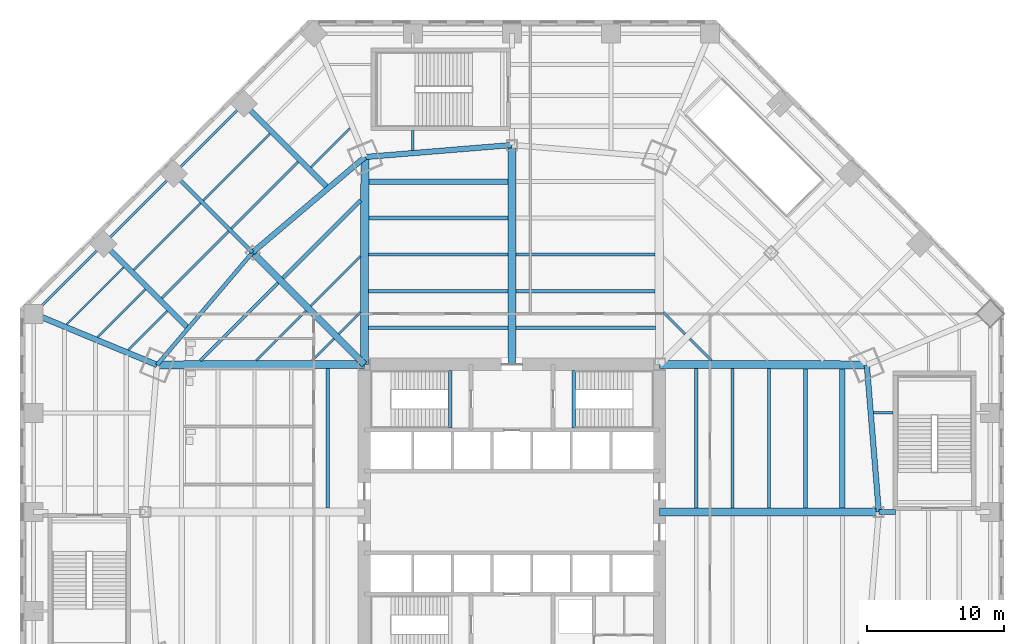
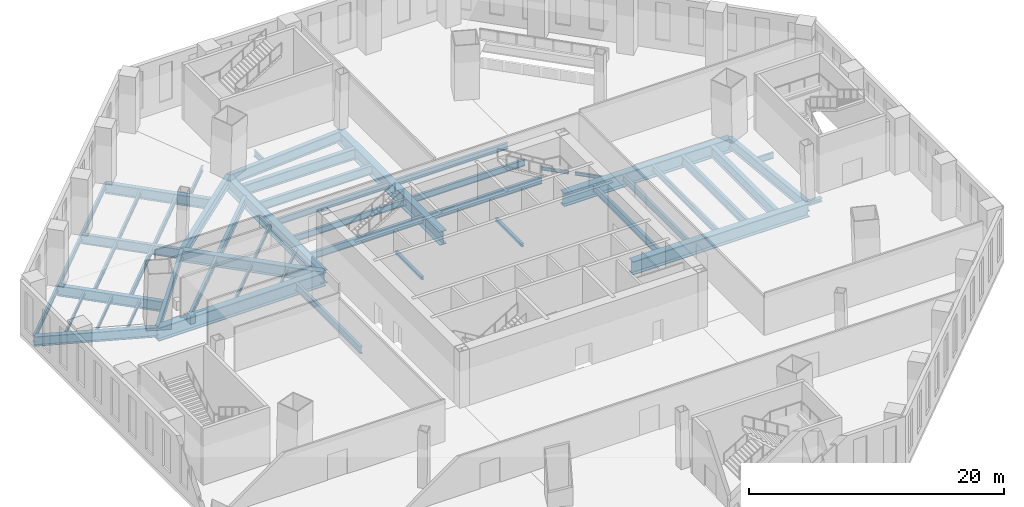
# One storey, part 4 of 18: 51 beams, 1 member.
"""IFC4 building model written with IfcOpenShell, lengths in metres."""

import ifcopenshell
import ifcopenshell.guid

model = None  # the IFC model being written
_history = None  # IfcOwnerHistory: only IFC2X3 demands one
_inside = {}  # id of a spatial element -> (the spatial element, [elements in it])
_under = {}  # id of a project, library or spatial element -> (it, [spatial elements below it])
_declared = {}  # id of a project -> (the project, [libraries it declares])
_typed = {}  # id of a type object -> (the type object, [elements of that type])
_made_of = {}  # id of a material, layer set ... -> (it, [elements and type objects made of it])


def new_model(schema):
    """Start an empty IFC model of exactly this schema.

    Asked for "IFC4X3", IfcOpenShell would pick the latest addendum, in which some entities
    have other attributes; the version numbers below select the first issue.
    IFC2X3 requires an IfcOwnerHistory on every rooted entity: one is made here for all.
    """
    global model, _history
    if schema == "IFC4X3":
        model = ifcopenshell.file(schema_version=(4, 3, 0, 0))
    else:
        model = ifcopenshell.file(schema=schema)
    _inside.clear()
    _under.clear()
    _declared.clear()
    _typed.clear()
    _made_of.clear()
    _history = None
    if model.schema == "IFC2X3":
        org = make("IfcOrganization", Name="unknown")
        user = make(
            "IfcPersonAndOrganization",
            ThePerson=make("IfcPerson", FamilyName="unknown"),
            TheOrganization=org,
        )
        app = make(
            "IfcApplication",
            ApplicationDeveloper=org,
            Version="unknown",
            ApplicationFullName="unknown",
            ApplicationIdentifier="unknown",
        )
        _history = make(
            "IfcOwnerHistory",
            OwningUser=user,
            OwningApplication=app,
            ChangeAction="ADDED",
            CreationDate=0,
        )
    return model


def make(cls, **values):
    """One entity of the class cls with the attributes given. An attribute that is None is left unset."""
    return model.create_entity(
        cls, **{name: value for name, value in values.items() if value is not None}
    )


def rooted(cls, **values):
    """An entity with a GlobalId (a new one), such as an element, a storey or a relation."""
    return make(cls, GlobalId=ifcopenshell.guid.new(), OwnerHistory=_history, **values)


def si_unit(unit_type, name, prefix=None):
    """IfcSIUnit, for example si_unit("LENGTHUNIT", "METRE", prefix="MILLI")."""
    return make("IfcSIUnit", UnitType=unit_type, Prefix=prefix, Name=name)


def assignment(units):
    """IfcUnitAssignment: the units of a project."""
    return None if units is None else make("IfcUnitAssignment", Units=units)


def point(xyz):
    """IfcCartesianPoint."""
    return None if xyz is None else make("IfcCartesianPoint", Coordinates=xyz)


def direction(xyz):
    """IfcDirection."""
    return None if xyz is None else make("IfcDirection", DirectionRatios=xyz)


def frame(location, z_axis=None, x_axis=None):
    """IfcAxis2Placement3D, a coordinate frame: its origin and axes. An axis left out is left unset."""
    return make(
        "IfcAxis2Placement3D",
        Location=point(location),
        Axis=direction(z_axis),
        RefDirection=direction(x_axis),
    )


def frame_2d(location, x_axis=None):
    """IfcAxis2Placement2D, a coordinate frame in the plane: its origin and x axis."""
    return make(
        "IfcAxis2Placement2D", Location=point(location), RefDirection=direction(x_axis)
    )


def origin():
    """The frame at (0, 0, 0) with its axes left unset."""
    return frame((0.0, 0.0, 0.0))


def origin_2d():
    """The frame at (0, 0) in the plane with its x axis left unset."""
    return frame_2d((0.0, 0.0))


def place(relative_to, where):
    """IfcLocalPlacement: puts the frame where relative to a parent placement (None: the world)."""
    return make(
        "IfcLocalPlacement", PlacementRelTo=relative_to, RelativePlacement=where
    )


def context(
    kind, dimensions, precision=None, world=None, true_north=None, identifier=None
):
    """IfcGeometricRepresentationContext, for example the 3D "Model" context."""
    return make(
        "IfcGeometricRepresentationContext",
        ContextIdentifier=identifier,
        ContextType=kind,
        CoordinateSpaceDimension=dimensions,
        Precision=precision,
        WorldCoordinateSystem=world,
        TrueNorth=true_north,
    )


def subcontext(parent, identifier, kind, view, scale=None):
    """IfcGeometricRepresentationSubContext, for example "Body" below "Model"."""
    return make(
        "IfcGeometricRepresentationSubContext",
        ContextIdentifier=identifier,
        ContextType=kind,
        ParentContext=parent,
        TargetScale=scale,
        TargetView=view,
    )


def project(units=None, contexts=None):
    """IfcProject with its units and contexts."""
    return rooted(
        "IfcProject",
        Name="project",
        RepresentationContexts=contexts,
        UnitsInContext=assignment(units),
    )


def spatial(cls, under=None, at=None, **own):
    """A site, building, storey or space (cls), placed at a placement, below another one or the project."""
    s = rooted(cls, ObjectPlacement=at, **own)
    if under is not None:
        _under.setdefault(under.id(), (under, []))[1].append(s)
    return s


def profile(cls, at=None, kind="AREA", **sizes):
    """A parametric profile (cls). Its sizes go by their IFC names, for example OverallWidth=200.0."""
    return make(cls, ProfileType=kind, Position=at, **sizes)


def i_section(**sizes):
    """IfcIShapeProfileDef."""
    return profile("IfcIShapeProfileDef", **sizes)


def extrude(swept, where, along, depth):
    """IfcExtrudedAreaSolid: the profile swept, set in the frame where, extruded along a direction by depth."""
    return make(
        "IfcExtrudedAreaSolid",
        SweptArea=swept,
        Position=where,
        ExtrudedDirection=direction(along),
        Depth=depth,
    )


def shape(context_of_items, identifier, shape_type, items):
    """IfcShapeRepresentation: the items that make up one representation, for example the "Body"."""
    return make(
        "IfcShapeRepresentation",
        ContextOfItems=context_of_items,
        RepresentationIdentifier=identifier,
        RepresentationType=shape_type,
        Items=items,
    )


def source(mapping_origin, context_of_items, identifier, shape_type, items):
    """IfcRepresentationMap: a shape defined once, which mapped items show again and again."""
    return make(
        "IfcRepresentationMap",
        MappingOrigin=mapping_origin,
        MappedRepresentation=shape(context_of_items, identifier, shape_type, items),
    )


def transform(
    local_origin,
    x_axis=None,
    y_axis=None,
    z_axis=None,
    scale=None,
    scale2=None,
    scale3=None,
    uniform=True,
):
    """IfcCartesianTransformationOperator3D, or its non-uniform kind. x_axis, y_axis, z_axis: its Axis1, 2, 3."""
    if uniform:
        return make(
            "IfcCartesianTransformationOperator3D",
            Axis1=direction(x_axis),
            Axis2=direction(y_axis),
            LocalOrigin=point(local_origin),
            Scale=scale,
            Axis3=direction(z_axis),
        )
    return make(
        "IfcCartesianTransformationOperator3DnonUniform",
        Axis1=direction(x_axis),
        Axis2=direction(y_axis),
        LocalOrigin=point(local_origin),
        Scale=scale,
        Axis3=direction(z_axis),
        Scale2=scale2,
        Scale3=scale3,
    )


def mapped(mapping_source, mapping_target):
    """IfcMappedItem: shows the shape of a source again, moved by a transform."""
    return make(
        "IfcMappedItem", MappingSource=mapping_source, MappingTarget=mapping_target
    )


def material(Name=None, Category=None):
    """IfcMaterial."""
    return make("IfcMaterial", Name=Name, Category=Category)


def material_profile(
    of_material, cross_section, Name=None, Category=None, Priority=None
):
    """IfcMaterialProfile: a cross section and its material."""
    return make(
        "IfcMaterialProfile",
        Name=Name,
        Material=of_material,
        Profile=cross_section,
        Priority=Priority,
        Category=Category,
    )


def profile_set(profiles, Name=None, composite=None):
    """IfcMaterialProfileSet."""
    return make(
        "IfcMaterialProfileSet",
        Name=Name,
        MaterialProfiles=profiles,
        CompositeProfile=composite,
    )


def made_of(thing, what):
    """Note that an element or type object is made of a material, layer set ...; save() writes the relation."""
    if what is not None:
        _made_of.setdefault(what.id(), (what, []))[1].append(thing)
    return thing


def type_object(cls, material=None, **own):
    """A type object (cls), such as IfcWallType, which elements share."""
    return made_of(rooted(cls, **own), material)


def type_shapes(of_type, sources):
    """Give a type object the sources (RepresentationMaps) that its elements show as mapped items."""
    of_type.RepresentationMaps = sources


def element(
    cls,
    number,
    at=None,
    inside=None,
    cuts=None,
    type_object=None,
    material=None,
    context=None,
    identifier="Body",
    shape_type=None,
    held_by="IfcProductDefinitionShape",
    body=None,
    shapes=None,
    **own,
):
    """One element of the class cls, such as IfcWall. Its Tag is "e" and its number.

    at: its placement. inside: the storey or other place that contains it. cuts: it is an
    opening in that element (IfcRelVoidsElement). A single representation is given by context,
    identifier, shape_type and body (its items); several are given by shapes. held_by: the class
    of the entity that holds the representations. save() writes the other relations.
    """
    e = rooted(cls, Tag="e%d" % number, ObjectPlacement=at, **own)
    if body is not None:
        shapes = [shape(context, identifier, shape_type, body)]
    if shapes is not None:
        e.Representation = make(held_by, Representations=shapes)
    if inside is not None:
        _inside.setdefault(inside.id(), (inside, []))[1].append(e)
    if cuts is not None:
        rooted(
            "IfcRelVoidsElement", RelatingBuildingElement=cuts, RelatedOpeningElement=e
        )
    if type_object is not None:
        _typed.setdefault(type_object.id(), (type_object, []))[1].append(e)
    return made_of(e, material)


def aggregate(whole, parts):
    """IfcRelAggregates: a whole, such as a stair, and the parts it consists of."""
    return rooted("IfcRelAggregates", RelatingObject=whole, RelatedObjects=parts)


def save(model, path):
    """Write the relations noted so far, then the file.

    IfcRelAggregates (storeys below a building ...), IfcRelContainedInSpatialStructure (elements
    in a storey), IfcRelDefinesByType, IfcRelAssociatesMaterial and IfcRelDeclares: one each for
    every whole, place, type object, material and project.
    """
    for whole, parts in _under.values():
        aggregate(whole, parts)
    for where, things in _inside.values():
        rooted(
            "IfcRelContainedInSpatialStructure",
            RelatedElements=things,
            RelatingStructure=where,
        )
    for kind, things in _typed.values():
        rooted("IfcRelDefinesByType", RelatedObjects=things, RelatingType=kind)
    for what, things in _made_of.values():
        rooted("IfcRelAssociatesMaterial", RelatedObjects=things, RelatingMaterial=what)
    for by, libraries in _declared.values():
        rooted("IfcRelDeclares", RelatingContext=by, RelatedDefinitions=libraries)
    model.write(path)


model = new_model("IFC4")

# Units and contexts
model_context = context("Model", 3, precision=1e-05, world=origin(), true_north=direction((0.0, 1.0)))
body_context = subcontext(model_context, "Body", "Model", "MODEL_VIEW")
ifc_project = project(units=[si_unit("LENGTHUNIT", "METRE"), si_unit("AREAUNIT", "SQUARE_METRE"), si_unit("VOLUMEUNIT", "CUBIC_METRE"), si_unit("PLANEANGLEUNIT", "RADIAN"), si_unit("MASSUNIT", "GRAM", prefix="KILO")], contexts=[model_context])

# Site, building, storey
site_placement = place(None, origin())
site = spatial("IfcSite", under=ifc_project, at=site_placement, CompositionType="ELEMENT")
building_placement = place(site_placement, origin())
building = spatial("IfcBuilding", under=site, at=building_placement, Name="Mashrafa Tower", CompositionType="ELEMENT")
storey_placement = place(building_placement, frame((0.0, 0.0, 13.199951171875)))
storey = spatial("IfcBuildingStorey", under=building, at=storey_placement, Name="L02", CompositionType="ELEMENT", Elevation=13.199951171875)

# Beams
ifc_material_1 = material(Name="Steel ASTM A572 Gr 50", Category="steel")
ifc_material_profile_1 = material_profile(ifc_material_1, i_section(OverallWidth=0.5, OverallDepth=1.10009765625, WebThickness=0.02490234375, FlangeThickness=0.050048828125, at=origin_2d()), Name="H1100X500X25X50")
ifc_profile_set_1 = profile_set([ifc_material_profile_1], Name="Steel ASTM A572 Gr 50")
beam_type_1 = type_object("IfcBeamType", Name="Beam H1100X500X25X50", PredefinedType="BEAM", material=ifc_profile_set_1)
beam_1_placement = place(storey_placement, frame((-10.800048828125, 10.800048828125, -0.849853515625), z_axis=(-0.707106781187, 0.707106781187, 0.0), x_axis=(-0.707106781187, -0.707106781187, 0.0)))
element("IfcBeam", 1, at=beam_1_placement, inside=storey, type_object=beam_type_1, Name="Radial girder L02 218", PredefinedType="BEAM", context=body_context, shape_type="SweptSolid", body=[
    extrude(i_section(OverallWidth=0.5, OverallDepth=1.10009765625, WebThickness=0.02490234375, FlangeThickness=0.050048828125, at=origin_2d()), origin(), (0.0, 0.0, 1.0), 11.576171875),
])
ifc_material_2 = material(Name="Steel ASTM A572 Gr 50", Category="steel")
ifc_material_profile_2 = material_profile(ifc_material_2, i_section(OverallWidth=0.60009765625, OverallDepth=1.300048828125, WebThickness=0.028076171875, FlangeThickness=0.06494140625, at=origin_2d()), Name="H1300X600X28X65")
ifc_profile_set_2 = profile_set([ifc_material_profile_2], Name="Steel ASTM A572 Gr 50")
beam_type_2 = type_object("IfcBeamType", Name="Beam H1300X600X28X65", PredefinedType="BEAM", material=ifc_profile_set_2)
for number, where, z_axis, x_axis, name in (
    (2, (-10.800048828125, 10.800048828125, -0.949951171875), (-0.999996124968, -0.002783890858, 0.0), (0.002783890858, -0.999996124968, 0.0), "Radial girder L02 217"),
    (3, (-10.800048828125, 10.800048828125, -0.949951171875), (0.002783890858, 0.999996124968, 0.0), (-0.999996124968, 0.002783890858, 0.0), "Radial girder L02 219"),
):
    element("IfcBeam", number, at=place(storey_placement, frame(where, z_axis=z_axis, x_axis=x_axis)), inside=storey, type_object=beam_type_2, Name=name, PredefinedType="BEAM", context=body_context, shape_type="SweptSolid", body=[
        extrude(i_section(OverallWidth=0.60009765625, OverallDepth=1.300048828125, WebThickness=0.028076171875, FlangeThickness=0.06494140625, at=origin_2d()), origin(), (0.0, 0.0, 1.0), 15.171630859375),
    ])
for number, where, z_axis, x_axis, name in (
    (4, (0.0, 10.800048828125, -0.949951171875), (0.0, 1.0, 0.0), (-1.0, 0.0, 0.0), "Radial girder L02 221"),
    (5, (10.800048828125, 0.0, -0.949951171875), (1.0, 0.0, 0.0), (0.0, 1.0, 0.0), "Radial girder L02 225"),
):
    element("IfcBeam", number, at=place(storey_placement, frame(where, z_axis=z_axis, x_axis=x_axis)), inside=storey, type_object=beam_type_2, Name=name, PredefinedType="BEAM", context=body_context, shape_type="SweptSolid", body=[
        extrude(i_section(OverallWidth=0.60009765625, OverallDepth=1.300048828125, WebThickness=0.028076171875, FlangeThickness=0.06494140625, at=origin_2d()), origin(), (0.0, 0.0, 1.0), 16.0498046875),
    ])
beam_2_placement = place(storey_placement, frame((10.800048828125, 10.800048828125, -0.949951171875), z_axis=(0.999996124968, -0.002783890858, 0.0), x_axis=(0.002783890858, 0.999996124968, 0.0)))
element("IfcBeam", 6, at=beam_2_placement, inside=storey, type_object=beam_type_2, Name="Radial girder L02 228", PredefinedType="BEAM", context=body_context, shape_type="SweptSolid", body=[
    extrude(i_section(OverallWidth=0.60009765625, OverallDepth=1.300048828125, WebThickness=0.028076171875, FlangeThickness=0.06494140625, at=origin_2d()), origin(), (0.0, 0.0, 1.0), 15.171630859375),
])
ifc_material_3 = material(Name="Steel ASTM A992", Category="steel")
ifc_material_profile_3 = material_profile(ifc_material_3, i_section(OverallWidth=0.164794921875, OverallDepth=0.309814453125, WebThickness=0.005859375, FlangeThickness=0.009765625, FilletRadius=0.007568359375, at=origin_2d()), Name="W12X26")
ifc_profile_set_3 = profile_set([ifc_material_profile_3], Name="Steel ASTM A992")
beam_type_3 = type_object("IfcBeamType", Name="Beam W12X26", PredefinedType="BEAM", material=ifc_profile_set_3)
for number, where, z_axis, x_axis, name in (
    (7, (-14.603515625, 11.08935546875, -0.454833984375), (0.707106781187, 0.707106781187, 0.0), (-0.707106781187, 0.707106781187, 0.0), "Floor beam L02 034"),
    (8, (-12.669677734375, 13.023193359375, -0.454833984375), (0.707106781187, 0.707106781187, 0.0), (-0.707106781187, 0.707106781187, 0.0), "Floor beam L02 043"),
    (9, (11.08935546875, 14.603515625, -0.454833984375), (0.707106781187, -0.707106781187, 0.0), (0.707106781187, 0.707106781187, 0.0), "Floor beam L02 077"),
    (10, (13.023193359375, 12.669677734375, -0.454833984375), (0.707106781187, -0.707106781187, 0.0), (0.707106781187, 0.707106781187, 0.0), "Floor beam L02 082"),
):
    element("IfcBeam", number, at=place(storey_placement, frame(where, z_axis=z_axis, x_axis=x_axis)), inside=storey, type_object=beam_type_3, Name=name, PredefinedType="BEAM", context=body_context, shape_type="SweptSolid", body=[
        extrude(i_section(OverallWidth=0.164794921875, OverallDepth=0.309814453125, WebThickness=0.005859375, FlangeThickness=0.009765625, FilletRadius=0.007568359375, at=origin_2d()), origin(), (0.0, 0.0, 1.0), 2.23486328125),
    ])
ifc_material_4 = material(Name="Steel ASTM A992", Category="steel")
ifc_material_profile_4 = material_profile(ifc_material_4, i_section(OverallWidth=0.140380859375, OverallDepth=0.40380859375, WebThickness=0.007080078125, FlangeThickness=0.01123046875, FilletRadius=0.01025390625, at=origin_2d()), Name="W16X31")
ifc_profile_set_4 = profile_set([ifc_material_profile_4], Name="Steel ASTM A992")
beam_type_4 = type_object("IfcBeamType", Name="Beam W16X31", PredefinedType="BEAM", material=ifc_profile_set_4)
beam_3_placement = place(storey_placement, frame((-32.58251953125, 13.722900390625, -0.501953125), z_axis=(0.707086042789, 0.707127518976, 0.0), x_axis=(-0.707127518976, 0.707086042789, 0.0)))
element("IfcBeam", 11, at=beam_3_placement, inside=storey, type_object=beam_type_4, Name="Floor beam L02 003", PredefinedType="BEAM", context=body_context, shape_type="SweptSolid", body=[
    extrude(i_section(OverallWidth=0.140380859375, OverallDepth=0.40380859375, WebThickness=0.007080078125, FlangeThickness=0.01123046875, FilletRadius=0.01025390625, at=origin_2d()), origin(), (0.0, 0.0, 1.0), 5.88623046875),
])
beam_4_placement = place(storey_placement, frame((-30.325439453125, 12.7880859375, -0.501953125), z_axis=(0.707106781187, 0.707106781187, 0.0), x_axis=(-0.707106781187, 0.707106781187, 0.0)))
element("IfcBeam", 12, at=beam_4_placement, inside=storey, type_object=beam_type_4, Name="Floor beam L02 006", PredefinedType="BEAM", context=body_context, shape_type="SweptSolid", body=[
    extrude(i_section(OverallWidth=0.140380859375, OverallDepth=0.40380859375, WebThickness=0.007080078125, FlangeThickness=0.01123046875, FilletRadius=0.01025390625, at=origin_2d()), origin(), (0.0, 0.0, 1.0), 4.951416015625),
])
beam_5_placement = place(storey_placement, frame((-28.068359375, 11.85302734375, -0.501953125), z_axis=(0.707106781187, 0.707106781187, 0.0), x_axis=(-0.707106781187, 0.707106781187, 0.0)))
element("IfcBeam", 13, at=beam_5_placement, inside=storey, type_object=beam_type_4, Name="Floor beam L02 009", PredefinedType="BEAM", context=body_context, shape_type="SweptSolid", body=[
    extrude(i_section(OverallWidth=0.140380859375, OverallDepth=0.40380859375, WebThickness=0.007080078125, FlangeThickness=0.01123046875, FilletRadius=0.01025390625, at=origin_2d()), origin(), (0.0, 0.0, 1.0), 4.0166015625),
])
ifc_material_5 = material(Name="Steel ASTM A992", Category="steel")
ifc_material_profile_5 = material_profile(ifc_material_5, i_section(OverallWidth=0.15234375, OverallDepth=0.449462890625, WebThickness=0.007568359375, FlangeThickness=0.0107421875, FilletRadius=0.01025390625, at=origin_2d()), Name="W18X35")
ifc_profile_set_5 = profile_set([ifc_material_profile_5], Name="Steel ASTM A992")
beam_type_5 = type_object("IfcBeamType", Name="Beam W18X35", PredefinedType="BEAM", material=ifc_profile_set_5)
for number, where, z_axis, x_axis, name in (
    (14, (-18.707763671875, 11.077880859375, -0.524658203125), (0.707106781187, 0.707106781187, 0.0), (-0.707106781187, 0.707106781187, 0.0), "Floor beam L02 023"),
    (15, (-14.716064453125, 15.069580078125, -0.524658203125), (0.707106781187, 0.707106781187, 0.0), (-0.707106781187, 0.707106781187, 0.0), "Floor beam L02 036"),
):
    element("IfcBeam", number, at=place(storey_placement, frame(where, z_axis=z_axis, x_axis=x_axis)), inside=storey, type_object=beam_type_5, Name=name, PredefinedType="BEAM", context=body_context, shape_type="SweptSolid", body=[
        extrude(i_section(OverallWidth=0.15234375, OverallDepth=0.449462890625, WebThickness=0.007568359375, FlangeThickness=0.0107421875, FilletRadius=0.01025390625, at=origin_2d()), origin(), (0.0, 0.0, 1.0), 5.145263671875),
    ])
ifc_material_6 = material(Name="Steel ASTM A992", Category="steel")
ifc_material_profile_6 = material_profile(ifc_material_6, i_section(OverallWidth=0.1650390625, OverallDepth=0.52587890625, WebThickness=0.0087890625, FlangeThickness=0.011474609375, FilletRadius=0.0126953125, at=origin_2d()), Name="W21X44")
ifc_profile_set_6 = profile_set([ifc_material_profile_6], Name="Steel ASTM A992")
beam_type_6 = type_object("IfcBeamType", Name="Beam W21X44", PredefinedType="BEAM", material=ifc_profile_set_6)
for number, where, z_axis, x_axis, name in (
    (16, (-27.672119140625, 17.70458984375, -0.562744140625), (0.707124486521, 0.707089075409, 0.0), (-0.707089075409, 0.707124486521, 0.0), "Floor beam L02 010"),
    (17, (-22.57958984375, 22.796875, -0.562744140625), (0.707089075409, 0.707124486521, 0.0), (-0.707124486521, 0.707089075409, 0.0), "Floor beam L02 018"),
):
    element("IfcBeam", number, at=place(storey_placement, frame(where, z_axis=z_axis, x_axis=x_axis)), inside=storey, type_object=beam_type_6, Name=name, PredefinedType="BEAM", context=body_context, shape_type="SweptSolid", body=[
        extrude(i_section(OverallWidth=0.1650390625, OverallDepth=0.52587890625, WebThickness=0.0087890625, FlangeThickness=0.011474609375, FilletRadius=0.0126953125, at=origin_2d()), origin(), (0.0, 0.0, 1.0), 6.89453125),
    ])
ifc_material_7 = material(Name="Steel ASTM A992", Category="steel")
ifc_material_profile_7 = material_profile(ifc_material_7, i_section(OverallWidth=0.165771484375, OverallDepth=0.5283203125, WebThickness=0.009765625, FlangeThickness=0.013671875, FilletRadius=0.012939453125, at=origin_2d()), Name="W21X50")
ifc_profile_set_7 = profile_set([ifc_material_profile_7], Name="Steel ASTM A992")
beam_type_7 = type_object("IfcBeamType", Name="Beam W21X50", PredefinedType="BEAM", material=ifc_profile_set_7)
beam_6_placement = place(storey_placement, frame((-14.693115234375, 25.228271484375, -0.564208984375), z_axis=(0.707106781187, 0.707106781187, 0.0), x_axis=(-0.707106781187, 0.707106781187, 0.0)))
element("IfcBeam", 18, at=beam_6_placement, inside=storey, type_object=beam_type_7, Name="Floor beam L02 037", PredefinedType="BEAM", context=body_context, shape_type="SweptSolid", body=[
    extrude(i_section(OverallWidth=0.165771484375, OverallDepth=0.5283203125, WebThickness=0.009765625, FlangeThickness=0.013671875, FilletRadius=0.012939453125, at=origin_2d()), origin(), (0.0, 0.0, 1.0), 4.026123046875),
])
ifc_material_8 = material(Name="Steel ASTM A992", Category="steel")
ifc_material_profile_8 = material_profile(ifc_material_8, i_section(OverallWidth=0.177978515625, OverallDepth=0.599365234375, WebThickness=0.010009765625, FlangeThickness=0.012939453125, FilletRadius=0.012939453125, at=origin_2d()), Name="W24X55")
ifc_profile_set_8 = profile_set([ifc_material_profile_8], Name="Steel ASTM A992")
beam_type_8 = type_object("IfcBeamType", Name="Beam W24X55", PredefinedType="BEAM", material=ifc_profile_set_8)
for number, where, z_axis, x_axis, name in (
    (19, (-25.611572265625, 15.64404296875, -0.599609375), (0.707106781187, 0.707106781187, 0.0), (-0.707106781187, 0.707106781187, 0.0), "Floor beam L02 012"),
    (20, (-20.51904296875, 20.736572265625, -0.599609375), (0.707106781187, 0.707106781187, 0.0), (-0.707106781187, 0.707106781187, 0.0), "Floor beam L02 022"),
):
    element("IfcBeam", number, at=place(storey_placement, frame(where, z_axis=z_axis, x_axis=x_axis)), inside=storey, type_object=beam_type_8, Name=name, PredefinedType="BEAM", context=body_context, shape_type="SweptSolid", body=[
        extrude(i_section(OverallWidth=0.177978515625, OverallDepth=0.599365234375, WebThickness=0.010009765625, FlangeThickness=0.012939453125, FilletRadius=0.012939453125, at=origin_2d()), origin(), (0.0, 0.0, 1.0), 6.894287109375),
    ])
beam_7_placement = place(storey_placement, frame((-29.87451171875, 19.623046875, -0.599609375), z_axis=(-0.707106781187, -0.707106781187, 0.0), x_axis=(0.707106781187, -0.707106781187, 0.0)))
element("IfcBeam", 21, at=beam_7_placement, inside=storey, type_object=beam_type_8, Name="Podium edge beam L02 130", PredefinedType="BEAM", context=body_context, shape_type="SweptSolid", body=[
    extrude(i_section(OverallWidth=0.177978515625, OverallDepth=0.599365234375, WebThickness=0.010009765625, FlangeThickness=0.012939453125, FilletRadius=0.012939453125, at=origin_2d()), origin(), (0.0, 0.0, 1.0), 7.24853515625),
])
for number, where, z_axis, x_axis, name in (
    (22, (-24.748779296875, 24.748779296875, -0.599609375), (-0.707106781187, -0.707106781187, 0.0), (0.707106781187, -0.707106781187, 0.0), "Podium edge beam L02 132"),
    (23, (-19.623046875, 29.87451171875, -0.599609375), (-0.707106781187, -0.707106781187, 0.0), (0.707106781187, -0.707106781187, 0.0), "Podium edge beam L02 134"),
):
    element("IfcBeam", number, at=place(storey_placement, frame(where, z_axis=z_axis, x_axis=x_axis)), inside=storey, type_object=beam_type_8, Name=name, PredefinedType="BEAM", context=body_context, shape_type="SweptSolid", body=[
        extrude(i_section(OverallWidth=0.177978515625, OverallDepth=0.599365234375, WebThickness=0.010009765625, FlangeThickness=0.012939453125, FilletRadius=0.012939453125, at=origin_2d()), origin(), (0.0, 0.0, 1.0), 7.248779296875),
    ])
for number, where, z_axis, x_axis, name in (
    (24, (-7.248779296875, 26.45947265625, -0.599609375), (0.0, 1.0, 0.0), (-1.0, 0.0, 0.0), "Podium radial beam L02 172"),
    (25, (26.45947265625, 7.248779296875, -0.599609375), (1.0, 0.0, 0.0), (0.0, 1.0, 0.0), "Podium radial beam L02 193"),
):
    element("IfcBeam", number, at=place(storey_placement, frame(where, z_axis=z_axis, x_axis=x_axis)), inside=storey, type_object=beam_type_8, Name=name, PredefinedType="BEAM", context=body_context, shape_type="SweptSolid", body=[
        extrude(i_section(OverallWidth=0.177978515625, OverallDepth=0.599365234375, WebThickness=0.010009765625, FlangeThickness=0.012939453125, FilletRadius=0.012939453125, at=origin_2d()), origin(), (0.0, 0.0, 1.0), 1.4404296875),
    ])
ifc_material_9 = material(Name="Steel ASTM A992", Category="steel")
ifc_material_profile_9 = material_profile(ifc_material_9, i_section(OverallWidth=0.227783203125, OverallDepth=0.60205078125, WebThickness=0.010498046875, FlangeThickness=0.014892578125, FilletRadius=0.012939453125, at=origin_2d()), Name="W24X68")
ifc_profile_set_9 = profile_set([ifc_material_profile_9], Name="Steel ASTM A992")
beam_type_9 = type_object("IfcBeamType", Name="Beam W24X68", PredefinedType="BEAM", material=ifc_profile_set_9)
beam_8_placement = place(storey_placement, frame((-22.81201171875, 11.066650390625, -0.600830078125), z_axis=(0.707106781187, 0.707106781187, 0.0), x_axis=(-0.707106781187, 0.707106781187, 0.0)))
element("IfcBeam", 26, at=beam_8_placement, inside=storey, type_object=beam_type_9, Name="Floor beam L02 016", PredefinedType="BEAM", context=body_context, shape_type="SweptSolid", body=[
    extrude(i_section(OverallWidth=0.227783203125, OverallDepth=0.60205078125, WebThickness=0.010498046875, FlangeThickness=0.014892578125, FilletRadius=0.012939453125, at=origin_2d()), origin(), (0.0, 0.0, 1.0), 8.05517578125),
])
ifc_material_10 = material(Name="Steel ASTM A992", Category="steel")
ifc_material_profile_10 = material_profile(ifc_material_10, i_section(OverallWidth=0.228271484375, OverallDepth=0.607177734375, WebThickness=0.01123046875, FlangeThickness=0.017333984375, FilletRadius=0.0126953125, at=origin_2d()), Name="W24X76")
ifc_profile_set_10 = profile_set([ifc_material_profile_10], Name="Steel ASTM A992")
beam_type_10 = type_object("IfcBeamType", Name="Beam W24X76", PredefinedType="BEAM", material=ifc_profile_set_10)
beam_9_placement = place(storey_placement, frame((-10.485107421875, 16.14990234375, -0.603515625), z_axis=(1.0, 0.0, 0.0), x_axis=(0.0, 1.0, 0.0)))
element("IfcBeam", 27, at=beam_9_placement, inside=storey, type_object=beam_type_10, Name="Floor beam L02 049", PredefinedType="BEAM", context=body_context, shape_type="SweptSolid", body=[
    extrude(i_section(OverallWidth=0.228271484375, OverallDepth=0.607177734375, WebThickness=0.01123046875, FlangeThickness=0.017333984375, FilletRadius=0.0126953125, at=origin_2d()), origin(), (0.0, 0.0, 1.0), 10.18505859375),
])
beam_10_placement = place(storey_placement, frame((-10.477783203125, 18.824951171875, -0.603515625), z_axis=(1.0, 0.0, 0.0), x_axis=(0.0, 1.0, 0.0)))
element("IfcBeam", 28, at=beam_10_placement, inside=storey, type_object=beam_type_10, Name="Floor beam L02 050", PredefinedType="BEAM", context=body_context, shape_type="SweptSolid", body=[
    extrude(i_section(OverallWidth=0.228271484375, OverallDepth=0.607177734375, WebThickness=0.01123046875, FlangeThickness=0.017333984375, FilletRadius=0.0126953125, at=origin_2d()), origin(), (0.0, 0.0, 1.0), 10.177734375),
])
beam_11_placement = place(storey_placement, frame((0.300048828125, 16.14990234375, -0.603515625), z_axis=(1.0, 0.0, 0.0), x_axis=(0.0, 1.0, 0.0)))
element("IfcBeam", 29, at=beam_11_placement, inside=storey, type_object=beam_type_10, Name="Floor beam L02 064", PredefinedType="BEAM", context=body_context, shape_type="SweptSolid", body=[
    extrude(i_section(OverallWidth=0.228271484375, OverallDepth=0.607177734375, WebThickness=0.01123046875, FlangeThickness=0.017333984375, FilletRadius=0.0126953125, at=origin_2d()), origin(), (0.0, 0.0, 1.0), 10.18505859375),
])
beam_12_placement = place(storey_placement, frame((0.300048828125, 18.824951171875, -0.603515625), z_axis=(1.0, 0.0, 0.0), x_axis=(0.0, 1.0, 0.0)))
element("IfcBeam", 30, at=beam_12_placement, inside=storey, type_object=beam_type_10, Name="Floor beam L02 065", PredefinedType="BEAM", context=body_context, shape_type="SweptSolid", body=[
    extrude(i_section(OverallWidth=0.228271484375, OverallDepth=0.607177734375, WebThickness=0.01123046875, FlangeThickness=0.017333984375, FilletRadius=0.0126953125, at=origin_2d()), origin(), (0.0, 0.0, 1.0), 10.177734375),
])
beam_13_placement = place(storey_placement, frame((16.14990234375, 10.485107421875, -0.603515625), z_axis=(0.0, -1.0, 0.0), x_axis=(1.0, 0.0, 0.0)))
element("IfcBeam", 31, at=beam_13_placement, inside=storey, type_object=beam_type_10, Name="Floor beam L02 092", PredefinedType="BEAM", context=body_context, shape_type="SweptSolid", body=[
    extrude(i_section(OverallWidth=0.228271484375, OverallDepth=0.607177734375, WebThickness=0.01123046875, FlangeThickness=0.017333984375, FilletRadius=0.0126953125, at=origin_2d()), origin(), (0.0, 0.0, 1.0), 10.18505859375),
])
beam_14_placement = place(storey_placement, frame((18.824951171875, 10.477783203125, -0.603515625), z_axis=(0.0, -1.0, 0.0), x_axis=(1.0, 0.0, 0.0)))
element("IfcBeam", 32, at=beam_14_placement, inside=storey, type_object=beam_type_10, Name="Floor beam L02 098", PredefinedType="BEAM", context=body_context, shape_type="SweptSolid", body=[
    extrude(i_section(OverallWidth=0.228271484375, OverallDepth=0.607177734375, WebThickness=0.01123046875, FlangeThickness=0.017333984375, FilletRadius=0.0126953125, at=origin_2d()), origin(), (0.0, 0.0, 1.0), 10.177734375),
])
ifc_material_11 = material(Name="Steel ASTM A992", Category="steel")
ifc_material_profile_11 = material_profile(ifc_material_11, i_section(OverallWidth=0.25390625, OverallDepth=0.67822265625, WebThickness=0.01171875, FlangeThickness=0.016357421875, FilletRadius=0.01513671875, at=origin_2d()), Name="W27X84")
ifc_profile_set_11 = profile_set([ifc_material_profile_11], Name="Steel ASTM A992")
beam_type_11 = type_object("IfcBeamType", Name="Beam W27X84", PredefinedType="BEAM", material=ifc_profile_set_11)
for number, where, z_axis, x_axis, name in (
    (33, (-13.47509765625, 0.300048828125, -0.63916015625), (0.0, 1.0, 0.0), (-1.0, 0.0, 0.0), "Floor beam L02 041"),
    (34, (-10.49267578125, 13.47509765625, -0.63916015625), (1.0, 0.0, 0.0), (0.0, 1.0, 0.0), "Floor beam L02 047"),
    (35, (0.300048828125, 13.47509765625, -0.63916015625), (1.0, 0.0, 0.0), (0.0, 1.0, 0.0), "Floor beam L02 063"),
    (36, (13.47509765625, 10.49267578125, -0.63916015625), (0.0, -1.0, 0.0), (1.0, 0.0, 0.0), "Floor beam L02 084"),
):
    element("IfcBeam", number, at=place(storey_placement, frame(where, z_axis=z_axis, x_axis=x_axis)), inside=storey, type_object=beam_type_11, Name=name, PredefinedType="BEAM", context=body_context, shape_type="SweptSolid", body=[
        extrude(i_section(OverallWidth=0.25390625, OverallDepth=0.67822265625, WebThickness=0.01171875, FlangeThickness=0.016357421875, FilletRadius=0.01513671875, at=origin_2d()), origin(), (0.0, 0.0, 1.0), 10.192626953125),
    ])
ifc_material_12 = material(Name="Steel ASTM A992", Category="steel")
ifc_material_profile_12 = material_profile(ifc_material_12, i_section(OverallWidth=0.2919921875, OverallDepth=0.8408203125, WebThickness=0.0146484375, FlangeThickness=0.021728515625, FilletRadius=0.017333984375, at=origin_2d()), Name="W33X130")
ifc_profile_set_12 = profile_set([ifc_material_profile_12], Name="Steel ASTM A992")
beam_type_12 = type_object("IfcBeamType", Name="Beam W33X130", PredefinedType="BEAM", material=ifc_profile_set_12)
beam_15_placement = place(storey_placement, frame((-16.762451171875, 17.1162109375, -0.72021484375), z_axis=(0.707106781187, 0.707106781187, 0.0), x_axis=(-0.707106781187, 0.707106781187, 0.0)))
element("IfcBeam", 37, at=beam_15_placement, inside=storey, type_object=beam_type_12, Name="Floor beam L02 029", PredefinedType="BEAM", context=body_context, shape_type="SweptSolid", body=[
    extrude(i_section(OverallWidth=0.2919921875, OverallDepth=0.8408203125, WebThickness=0.0146484375, FlangeThickness=0.021728515625, FilletRadius=0.017333984375, at=origin_2d()), origin(), (0.0, 0.0, 1.0), 8.05517578125),
])
beam_16_placement = place(storey_placement, frame((-18.985595703125, 18.985595703125, -0.72021484375), z_axis=(-0.647243221602, -0.762283550977, 0.0), x_axis=(0.762283550977, -0.647243221602, 0.0)))
element("IfcBeam", 38, at=beam_16_placement, inside=storey, type_object=beam_type_12, Name="Podium ring girder L02 201", PredefinedType="BEAM", context=body_context, shape_type="SweptSolid", body=[
    extrude(i_section(OverallWidth=0.2919921875, OverallDepth=0.8408203125, WebThickness=0.0146484375, FlangeThickness=0.021728515625, FilletRadius=0.017333984375, at=origin_2d()), origin(), (0.0, 0.0, 1.0), 10.793701171875),
])
ifc_material_13 = material(Name="Steel ASTM A992", Category="steel")
ifc_material_profile_13 = material_profile(ifc_material_13, i_section(OverallWidth=0.2919921875, OverallDepth=0.845703125, WebThickness=0.015380859375, FlangeThickness=0.0244140625, FilletRadius=0.017333984375, at=origin_2d()), Name="W33X141")
ifc_profile_set_13 = profile_set([ifc_material_profile_13], Name="Steel ASTM A992")
beam_type_13 = type_object("IfcBeamType", Name="Beam W33X141", PredefinedType="BEAM", material=ifc_profile_set_13)
for number, where, z_axis, x_axis, name in (
    (39, (-10.47021484375, 21.5, -0.722900390625), (1.0, 0.0, 0.0), (0.0, 1.0, 0.0), "Floor beam L02 052"),
    (40, (21.5, 10.47021484375, -0.722900390625), (0.0, -1.0, 0.0), (1.0, 0.0, 0.0), "Floor beam L02 103"),
):
    element("IfcBeam", number, at=place(storey_placement, frame(where, z_axis=z_axis, x_axis=x_axis)), inside=storey, type_object=beam_type_13, Name=name, PredefinedType="BEAM", context=body_context, shape_type="SweptSolid", body=[
        extrude(i_section(OverallWidth=0.2919921875, OverallDepth=0.845703125, WebThickness=0.015380859375, FlangeThickness=0.0244140625, FilletRadius=0.017333984375, at=origin_2d()), origin(), (0.0, 0.0, 1.0), 10.170166015625),
    ])
ifc_material_14 = material(Name="Steel ASTM A992", Category="steel")
ifc_material_profile_14 = material_profile(ifc_material_14, i_section(OverallWidth=0.307373046875, OverallDepth=0.927001953125, WebThickness=0.01953125, FlangeThickness=0.031982421875, FilletRadius=0.01904296875, at=origin_2d()), Name="W36X194")
ifc_profile_set_14 = profile_set([ifc_material_profile_14], Name="Steel ASTM A992")
beam_type_14 = type_object("IfcBeamType", Name="Beam W36X194", PredefinedType="BEAM", material=ifc_profile_set_14)
beam_17_placement = place(storey_placement, frame((-18.985595703125, 18.985595703125, -0.763427734375), z_axis=(-0.707106781187, 0.707106781187, 0.0), x_axis=(-0.707106781187, -0.707106781187, 0.0)))
element("IfcBeam", 41, at=beam_17_placement, inside=storey, type_object=beam_type_14, Name="Podium radial beam L02 166", PredefinedType="BEAM", context=body_context, shape_type="SweptSolid", body=[
    extrude(i_section(OverallWidth=0.307373046875, OverallDepth=0.927001953125, WebThickness=0.01953125, FlangeThickness=0.031982421875, FilletRadius=0.01904296875, at=origin_2d()), origin(), (0.0, 0.0, 1.0), 8.150390625),
])
ifc_material_15 = material(Name="Steel ASTM A992", Category="steel")
ifc_material_profile_15 = material_profile(ifc_material_15, i_section(OverallWidth=0.419189453125, OverallDepth=0.927001953125, WebThickness=0.019287109375, FlangeThickness=0.031982421875, FilletRadius=0.020263671875, at=origin_2d()), Name="W36X231")
ifc_profile_set_15 = profile_set([ifc_material_profile_15], Name="Steel ASTM A992")
beam_type_15 = type_object("IfcBeamType", Name="Beam W36X231", PredefinedType="BEAM", material=ifc_profile_set_15)
beam_18_placement = place(storey_placement, frame((-25.9716796875, 10.7578125, -0.763427734375), z_axis=(-0.923876154225, 0.382691588167, 0.0), x_axis=(-0.382691588167, -0.923876154225, 0.0)))
element("IfcBeam", 42, at=beam_18_placement, inside=storey, type_object=beam_type_15, Name="Podium radial beam L02 162", PredefinedType="BEAM", context=body_context, shape_type="SweptSolid", body=[
    extrude(i_section(OverallWidth=0.419189453125, OverallDepth=0.927001953125, WebThickness=0.019287109375, FlangeThickness=0.031982421875, FilletRadius=0.020263671875, at=origin_2d()), origin(), (0.0, 0.0, 1.0), 9.772216796875),
])
ifc_material_16 = material(Name="Steel ASTM A992", Category="steel")
ifc_material_profile_16 = material_profile(ifc_material_16, i_section(OverallWidth=0.4013671875, OverallDepth=0.98291015625, WebThickness=0.0166015625, FlangeThickness=0.027099609375, FilletRadius=0.0126953125, at=origin_2d()), Name="W40X199")
ifc_profile_set_16 = profile_set([ifc_material_profile_16], Name="Steel ASTM A992")
beam_type_16 = type_object("IfcBeamType", Name="Beam W40X199", PredefinedType="BEAM", material=ifc_profile_set_16)
beam_19_placement = place(storey_placement, frame((-23.79638671875, 13.545166015625, -0.79150390625), z_axis=(-0.707120982542, 0.707092579546, 0.0), x_axis=(-0.707092579546, -0.707120982542, 0.0)))
element("IfcBeam", 43, at=beam_19_placement, inside=storey, type_object=beam_type_16, Name="Podium radial beam L02 164", PredefinedType="BEAM", context=body_context, shape_type="SweptSolid", body=[
    extrude(i_section(OverallWidth=0.4013671875, OverallDepth=0.98291015625, WebThickness=0.0166015625, FlangeThickness=0.027099609375, FilletRadius=0.0126953125, at=origin_2d()), origin(), (0.0, 0.0, 1.0), 8.595703125),
])
beam_20_placement = place(storey_placement, frame((-13.583984375, 23.835205078125, -0.79150390625), z_axis=(-0.707092488261, 0.707121073824, 0.0), x_axis=(-0.707121073824, -0.707092488261, 0.0)))
element("IfcBeam", 44, at=beam_20_placement, inside=storey, type_object=beam_type_16, Name="Podium radial beam L02 168", PredefinedType="BEAM", context=body_context, shape_type="SweptSolid", body=[
    extrude(i_section(OverallWidth=0.4013671875, OverallDepth=0.98291015625, WebThickness=0.0166015625, FlangeThickness=0.027099609375, FilletRadius=0.0126953125, at=origin_2d()), origin(), (0.0, 0.0, 1.0), 8.540771484375),
])
ifc_material_17 = material(Name="Steel ASTM A992", Category="steel")
ifc_material_profile_17 = material_profile(ifc_material_17, i_section(OverallWidth=0.4013671875, OverallDepth=1.010986328125, WebThickness=0.023681640625, FlangeThickness=0.0419921875, FilletRadius=0.02001953125, at=origin_2d()), Name="W40X297")
ifc_profile_set_17 = profile_set([ifc_material_profile_17], Name="Steel ASTM A992")
beam_type_17 = type_object("IfcBeamType", Name="Beam W40X297", PredefinedType="BEAM", material=ifc_profile_set_17)
for number, where, z_axis, x_axis, name in (
    (45, (-10.462890625, 24.1748046875, -0.805419921875), (1.0, 0.0, 0.0), (0.0, 1.0, 0.0), "Floor beam L02 054"),
    (46, (24.1748046875, 10.462890625, -0.805419921875), (0.0, -1.0, 0.0), (1.0, 0.0, 0.0), "Floor beam L02 108"),
):
    element("IfcBeam", number, at=place(storey_placement, frame(where, z_axis=z_axis, x_axis=x_axis)), inside=storey, type_object=beam_type_17, Name=name, PredefinedType="BEAM", context=body_context, shape_type="SweptSolid", body=[
        extrude(i_section(OverallWidth=0.4013671875, OverallDepth=1.010986328125, WebThickness=0.023681640625, FlangeThickness=0.0419921875, FilletRadius=0.02001953125, at=origin_2d()), origin(), (0.0, 0.0, 1.0), 10.162841796875),
    ])
for number, where, z_axis, x_axis, name in (
    (47, (-10.7578125, 25.9716796875, -0.805419921875), (-0.762283550977, -0.647243221602, 0.0), (0.647243221602, -0.762283550977, 0.0), "Podium ring girder L02 203"),
    (48, (0.0, 26.849853515625, -0.805419921875), (-0.996684728121, -0.081360633784, 0.0), (0.081360633784, -0.996684728121, 0.0), "Podium ring girder L02 205"),
    (49, (26.849853515625, 0.0, -0.805419921875), (-0.081360633784, 0.996684728121, 0.0), (-0.996684728121, -0.081360633784, 0.0), "Podium ring girder L02 212"),
):
    element("IfcBeam", number, at=place(storey_placement, frame(where, z_axis=z_axis, x_axis=x_axis)), inside=storey, type_object=beam_type_17, Name=name, PredefinedType="BEAM", context=body_context, shape_type="SweptSolid", body=[
        extrude(i_section(OverallWidth=0.4013671875, OverallDepth=1.010986328125, WebThickness=0.023681640625, FlangeThickness=0.0419921875, FilletRadius=0.02001953125, at=origin_2d()), origin(), (0.0, 0.0, 1.0), 10.793701171875),
    ])
ifc_material_18 = material(Name="Steel ASTM A992", Category="steel")
ifc_material_profile_18 = material_profile(ifc_material_18, i_section(OverallWidth=0.25390625, OverallDepth=0.25390625, WebThickness=0.008544921875, FlangeThickness=0.01416015625, FilletRadius=0.010009765625, at=origin_2d()), Name="W10X49")
ifc_profile_set_18 = profile_set([ifc_material_profile_18], Name="Steel ASTM A992")
beam_type_18 = type_object("IfcBeamType", Name="Hoistway beam W10X49", PredefinedType="BEAM", material=ifc_profile_set_18)
for number, where, z_axis, x_axis, name in (
    (50, (-4.530029296875, 6.14990234375, -0.427001953125), (0.0, 1.0, 0.0), (-1.0, 0.0, 0.0), "Stair S1 landing beam L02"),
    (51, (4.530029296875, 6.14990234375, -0.427001953125), (0.0, 1.0, 0.0), (-1.0, 0.0, 0.0), "Stair S2 landing beam L02"),
):
    element("IfcBeam", number, at=place(storey_placement, frame(where, z_axis=z_axis, x_axis=x_axis)), inside=storey, type_object=beam_type_18, Name=name, PredefinedType="BEAM", context=body_context, shape_type="SweptSolid", body=[
        extrude(i_section(OverallWidth=0.25390625, OverallDepth=0.25390625, WebThickness=0.008544921875, FlangeThickness=0.01416015625, FilletRadius=0.010009765625, at=origin_2d()), origin(), (0.0, 0.0, 1.0), 4.2001953125),
    ])

# Member
ifc_material_19 = material(Name="Steel ASTM A992", Category="steel")
ifc_material_profile_19 = material_profile(ifc_material_19, i_section(OverallWidth=0.368408203125, OverallDepth=0.355712890625, WebThickness=0.01123046875, FlangeThickness=0.01806640625, FilletRadius=0.01513671875, at=origin_2d()), Name="W14X90")
ifc_profile_set_19 = profile_set([ifc_material_profile_19], Name="Steel ASTM A992")
member_type = type_object("IfcMemberType", Name="Tie strut W14X90", PredefinedType="STRUT", material=ifc_profile_set_19)
shared_shape = source(origin(), body_context, "Body", "SweptSolid", [
    extrude(i_section(OverallWidth=0.368408203125, OverallDepth=0.355712890625, WebThickness=0.01123046875, FlangeThickness=0.01806640625, FilletRadius=0.01513671875, at=origin_2d()), origin(), (0.0, 0.0, 1.0), 1.22509765625),
])
type_shapes(member_type, [shared_shape])
member_placement = place(storey_placement, frame((26.849853515625, 0.0, -0.477783203125), z_axis=(1.0, 0.0, 0.0), x_axis=(0.0, 1.0, 0.0)))
element("IfcMember", 52, at=member_placement, inside=storey, type_object=member_type, Name="Tie strut L02 194", PredefinedType="STRUT", context=body_context, shape_type="MappedRepresentation", body=[
    mapped(shared_shape, transform((0.0, 0.0, 0.0))),
])

save(model, "model.ifc")
